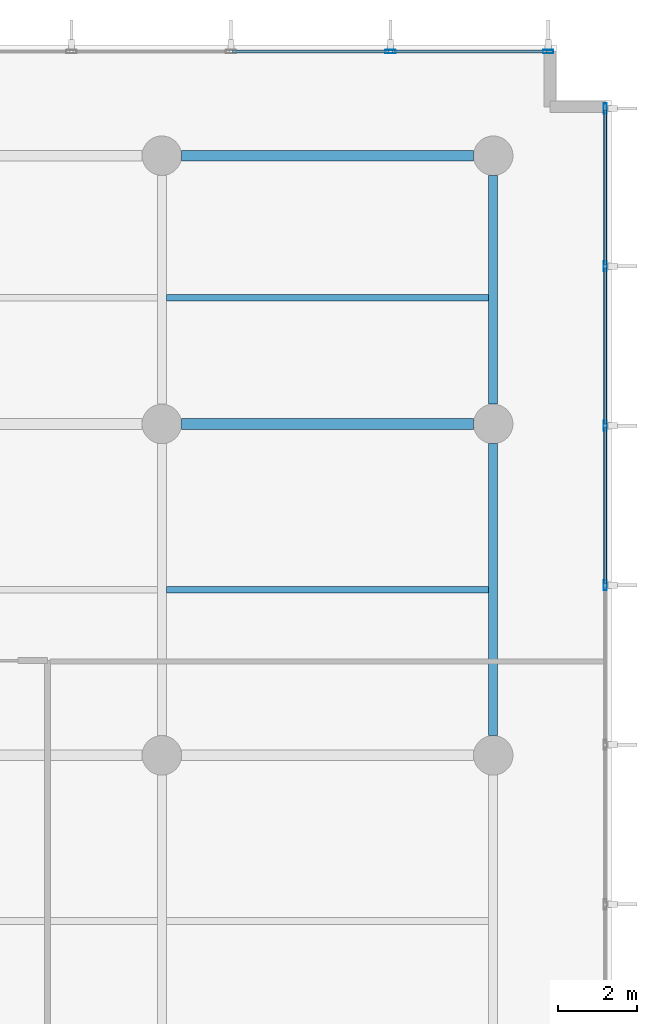
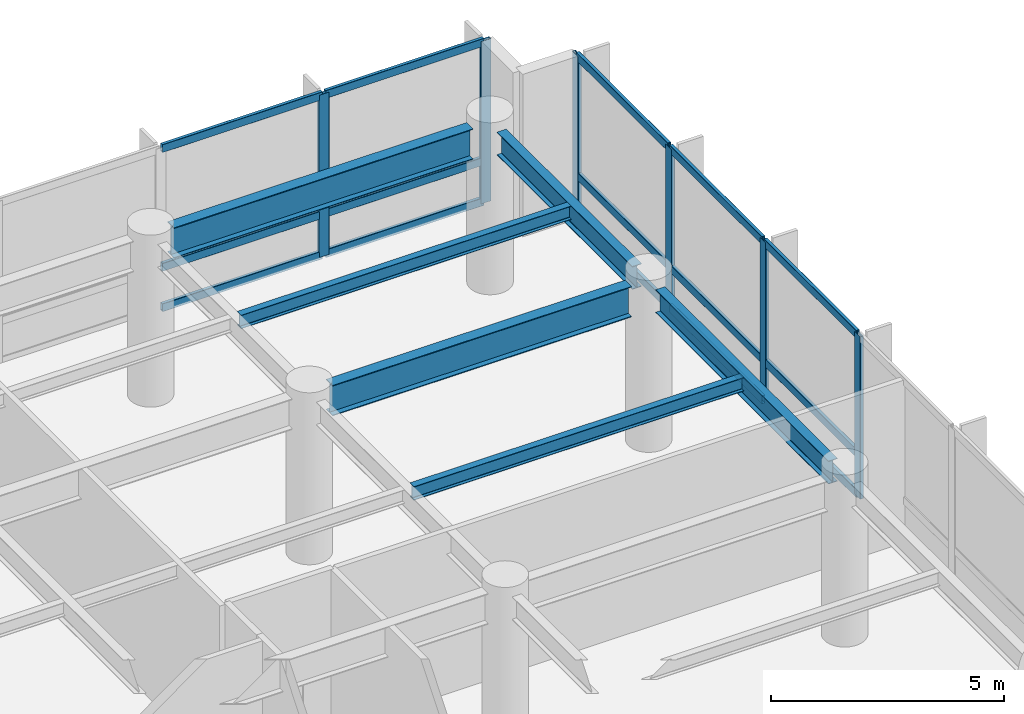
# One storey, part 12 of 26: 21 members, 6 beams, 2 elements without a shape of their own.
"""IFC4 building model written with IfcOpenShell, lengths in metres."""

from ifc_helpers import new_model, si_unit, direction, frame, origin, origin_2d, place, context, subcontext, project, spatial, hollow_rectangle, i_section, extrude, material, layer, layer_set, material_profile, profile_set, type_object, element, aggregate, save


model = new_model("IFC4")

# Units and contexts
model_context = context("Model", 3, precision=1e-05, world=origin(), true_north=direction((0.0, 1.0)))
body_context = subcontext(model_context, "Body", "Model", "MODEL_VIEW")
ifc_project = project(units=[si_unit("LENGTHUNIT", "METRE"), si_unit("AREAUNIT", "SQUARE_METRE"), si_unit("VOLUMEUNIT", "CUBIC_METRE"), si_unit("PLANEANGLEUNIT", "RADIAN"), si_unit("MASSUNIT", "GRAM", prefix="KILO")], contexts=[model_context])

# Site, building, storey
site_placement = place(None, origin())
site = spatial("IfcSite", under=ifc_project, at=site_placement, CompositionType="ELEMENT")
building_placement = place(site_placement, origin())
building = spatial("IfcBuilding", under=site, at=building_placement, Name="Varnakote Quay Hospital", CompositionType="ELEMENT")
storey_placement = place(building_placement, frame((0.0, 0.0, 9.0)))
storey = spatial("IfcBuildingStorey", under=building, at=storey_placement, Name="L02", CompositionType="ELEMENT", Elevation=9.0)

# Beams
ifc_material_1 = material(Name="Structural steel AS/NZS 3679.1 Grade 350 L0 (fy 340 MPa)", Category="steel")
ifc_material_profile_1 = material_profile(ifc_material_1, i_section(OverallWidth=0.22802734375, OverallDepth=0.60205078125, WebThickness=0.010498046875, FlangeThickness=0.014892578125, FilletRadius=0.013916015625, at=origin_2d()), Name="610UB101")
ifc_profile_set_1 = profile_set([ifc_material_profile_1], Name="Structural steel AS/NZS 3679.1 Grade 350 L0 (fy 340 MPa)")
beam_type_1 = type_object("IfcBeamType", Name="BM-STL-610UB101", PredefinedType="BEAM", material=ifc_profile_set_1)
beam_1_placement = place(storey_placement, frame((84.0, 29.300048828125, 3.948974609375), z_axis=(0.0, 1.0, 0.0), x_axis=(-1.0, 0.0, 0.0)))
element("IfcBeam", 1, at=beam_1_placement, inside=storey, type_object=beam_type_1, Name="L02 Primary Tie Beam", PredefinedType="BEAM", context=body_context, shape_type="SweptSolid", body=[
    extrude(i_section(OverallWidth=0.22802734375, OverallDepth=0.60205078125, WebThickness=0.010498046875, FlangeThickness=0.014892578125, FilletRadius=0.013916015625, at=origin_2d()), origin(), (0.0, 0.0, 1.0), 7.39990234375),
])
beam_2_placement = place(storey_placement, frame((84.0, 37.699951171875, 3.948974609375), z_axis=(0.0, 1.0, 0.0), x_axis=(-1.0, 0.0, 0.0)))
element("IfcBeam", 2, at=beam_2_placement, inside=storey, type_object=beam_type_1, Name="L02 Primary Tie Beam", PredefinedType="BEAM", context=body_context, shape_type="SweptSolid", body=[
    extrude(i_section(OverallWidth=0.22802734375, OverallDepth=0.60205078125, WebThickness=0.010498046875, FlangeThickness=0.014892578125, FilletRadius=0.013916015625, at=origin_2d()), origin(), (0.0, 0.0, 1.0), 5.800048828125),
])
ifc_material_2 = material(Name="Structural steel AS/NZS 3678 Grade 350 (fy 340 MPa)", Category="steel")
ifc_material_profile_2 = material_profile(ifc_material_2, i_section(OverallWidth=0.27490234375, OverallDepth=0.800048828125, WebThickness=0.010009765625, FlangeThickness=0.02001953125, at=origin_2d()), Name="800WB146")
ifc_profile_set_2 = profile_set([ifc_material_profile_2], Name="Structural steel AS/NZS 3678 Grade 350 (fy 340 MPa)")
beam_type_2 = type_object("IfcBeamType", Name="BM-STL-800WB146", PredefinedType="BEAM", material=ifc_profile_set_2)
for number, where, z_axis, x_axis, name in (
    (3, (76.10009765625, 37.199951171875, 3.85009765625), (1.0, 0.0, 0.0), (0.0, 1.0, 0.0), "L02 Primary Floor Beam"),
    (4, (76.10009765625, 44.0, 3.85009765625), (1.0, 0.0, 0.0), (0.0, 1.0, 0.0), "L02 Primary Floor Beam"),
):
    element("IfcBeam", number, at=place(storey_placement, frame(where, z_axis=z_axis, x_axis=x_axis)), inside=storey, type_object=beam_type_2, Name=name, PredefinedType="BEAM", context=body_context, shape_type="SweptSolid", body=[
        extrude(i_section(OverallWidth=0.27490234375, OverallDepth=0.800048828125, WebThickness=0.010009765625, FlangeThickness=0.02001953125, at=origin_2d()), origin(), (0.0, 0.0, 1.0), 7.39990234375),
    ])

# Curtain wall, members
ifc_material_3 = material(Name="Anodised aluminium 6063-T6 Bronze", Category="aluminium")
ifc_layer = layer(ifc_material_3, 0.175048828125)
ifc_layer_set = layer_set([ifc_layer], Name="Anodised aluminium 6063-T6 Bronze")
curtain_wall_type = type_object("IfcCurtainWallType", Name="CW-SYS-1", PredefinedType="NOTDEFINED", material=ifc_layer_set)
curtain_wall_1_placement = place(storey_placement, origin())
curtain_wall_1 = element("IfcCurtainWall", 5, at=curtain_wall_1_placement, inside=storey, type_object=curtain_wall_type, Name="L02 Unitised Bronze Curtain Wall 1", PredefinedType="NOTDEFINED")
ifc_material_4 = material(Name="Anodised aluminium 6063-T6 Bronze", Category="aluminium")
ifc_material_profile_3 = material_profile(ifc_material_4, hollow_rectangle(XDim=0.0849609375, YDim=0.260009765625, WallThickness=0.0048828125, InnerFilletRadius=0.0048828125, OuterFilletRadius=0.010009765625, at=origin_2d()), Name="CW-MULL-260x85")
ifc_profile_set_3 = profile_set([ifc_material_profile_3], Name="Anodised aluminium 6063-T6 Bronze")
member_type_1 = type_object("IfcMemberType", Name="CW-MULL-260x85", PredefinedType="MULLION", material=ifc_profile_set_3)
member_1_placement = place(storey_placement, frame((86.840087890625, 33.109130859375, 0.0), z_axis=(0.0, 0.0, 1.0), x_axis=(-1.0, 0.0, 0.0)))
member_1 = element("IfcMember", 6, at=member_1_placement, type_object=member_type_1, Name="-1-L02-1 mullion 9", PredefinedType="MULLION", context=body_context, shape_type="SweptSolid", body=[
    extrude(hollow_rectangle(XDim=0.0849609375, YDim=0.260009765625, WallThickness=0.0048828125, InnerFilletRadius=0.0048828125, OuterFilletRadius=0.010009765625, at=origin_2d()), origin(), (0.0, 0.0, 1.0), 4.25),
])
member_2_placement = place(storey_placement, frame((86.840087890625, 37.15283203125, 0.0), z_axis=(0.0, 0.0, 1.0), x_axis=(-1.0, 0.0, 0.0)))
member_2 = element("IfcMember", 7, at=member_2_placement, type_object=member_type_1, Name="-1-L02-1 mullion 10", PredefinedType="MULLION", context=body_context, shape_type="SweptSolid", body=[
    extrude(hollow_rectangle(XDim=0.0849609375, YDim=0.260009765625, WallThickness=0.0048828125, InnerFilletRadius=0.0048828125, OuterFilletRadius=0.010009765625, at=origin_2d()), origin(), (0.0, 0.0, 1.0), 4.25),
])
member_3_placement = place(storey_placement, frame((86.840087890625, 41.1962890625, 0.0), z_axis=(0.0, 0.0, 1.0), x_axis=(-1.0, 0.0, 0.0)))
member_3 = element("IfcMember", 8, at=member_3_placement, type_object=member_type_1, Name="-1-L02-1 mullion 11", PredefinedType="MULLION", context=body_context, shape_type="SweptSolid", body=[
    extrude(hollow_rectangle(XDim=0.0849609375, YDim=0.260009765625, WallThickness=0.0048828125, InnerFilletRadius=0.0048828125, OuterFilletRadius=0.010009765625, at=origin_2d()), origin(), (0.0, 0.0, 1.0), 4.25),
])
member_4_placement = place(storey_placement, frame((86.840087890625, 45.197509765625, 0.0), z_axis=(0.0, 0.0, 1.0), x_axis=(-1.0, 0.0, 0.0)))
member_4 = element("IfcMember", 9, at=member_4_placement, type_object=member_type_1, Name="-1-L02-1 mullion 12", PredefinedType="MULLION", context=body_context, shape_type="SweptSolid", body=[
    extrude(hollow_rectangle(XDim=0.0849609375, YDim=0.260009765625, WallThickness=0.0048828125, InnerFilletRadius=0.0048828125, OuterFilletRadius=0.010009765625, at=origin_2d()), origin(), (0.0, 0.0, 1.0), 4.25),
])

curtain_wall_2_placement = place(storey_placement, origin())
curtain_wall_2 = element("IfcCurtainWall", 10, at=curtain_wall_2_placement, inside=storey, type_object=curtain_wall_type, Name="L02 Unitised Bronze Curtain Wall 2", PredefinedType="NOTDEFINED")
member_5_placement = place(storey_placement, frame((85.3974609375, 46.639892578125, 0.0), z_axis=(0.0, 0.0, 1.0), x_axis=(0.0, -1.0, 0.0)))
member_5 = element("IfcMember", 11, at=member_5_placement, type_object=member_type_1, Name="-1-L02-2 mullion 1", PredefinedType="MULLION", context=body_context, shape_type="SweptSolid", body=[
    extrude(hollow_rectangle(XDim=0.0849609375, YDim=0.260009765625, WallThickness=0.0048828125, InnerFilletRadius=0.0048828125, OuterFilletRadius=0.010009765625, at=origin_2d()), origin(), (0.0, 0.0, 1.0), 4.25),
])
member_6_placement = place(storey_placement, frame((81.396484375, 46.639892578125, 0.0), z_axis=(0.0, 0.0, 1.0), x_axis=(0.0, -1.0, 0.0)))
member_6 = element("IfcMember", 12, at=member_6_placement, type_object=member_type_1, Name="-1-L02-2 mullion 2", PredefinedType="MULLION", context=body_context, shape_type="SweptSolid", body=[
    extrude(hollow_rectangle(XDim=0.0849609375, YDim=0.260009765625, WallThickness=0.0048828125, InnerFilletRadius=0.0048828125, OuterFilletRadius=0.010009765625, at=origin_2d()), origin(), (0.0, 0.0, 1.0), 4.25),
])

# Member
ifc_material_5 = material(Name="Anodised aluminium 6063-T6 Bronze", Category="aluminium")
ifc_material_profile_4 = material_profile(ifc_material_5, hollow_rectangle(XDim=0.0849609375, YDim=0.2099609375, WallThickness=0.00439453125, InnerFilletRadius=0.00439453125, OuterFilletRadius=0.009033203125, at=origin_2d()), Name="CW-TRAN-210x85")
ifc_profile_set_4 = profile_set([ifc_material_profile_4], Name="Anodised aluminium 6063-T6 Bronze")
member_type_2 = type_object("IfcMemberType", Name="CW-TRAN-210x85", PredefinedType="USERDEFINED", material=ifc_profile_set_4)
member_7_placement = place(storey_placement, frame((86.840087890625, 33.151611328125, 0.04248046875), z_axis=(0.0, 1.0, 0.0), x_axis=(-1.0, 0.0, 0.0)))
member_7 = element("IfcMember", 13, at=member_7_placement, type_object=member_type_2, Name="-1-L02-1 transom 9.1", ObjectType="TRANSOM", PredefinedType="USERDEFINED", context=body_context, shape_type="SweptSolid", body=[
    extrude(hollow_rectangle(XDim=0.0849609375, YDim=0.2099609375, WallThickness=0.00439453125, InnerFilletRadius=0.00439453125, OuterFilletRadius=0.009033203125, at=origin_2d()), origin(), (0.0, 0.0, 1.0), 3.95849609375),
])

member_8_placement = place(storey_placement, frame((86.840087890625, 33.151611328125, 1.10009765625), z_axis=(0.0, 1.0, 0.0), x_axis=(-1.0, 0.0, 0.0)))
member_8 = element("IfcMember", 14, at=member_8_placement, type_object=member_type_2, Name="-1-L02-1 transom 9.2", ObjectType="TRANSOM", PredefinedType="USERDEFINED", context=body_context, shape_type="SweptSolid", body=[
    extrude(hollow_rectangle(XDim=0.0849609375, YDim=0.2099609375, WallThickness=0.00439453125, InnerFilletRadius=0.00439453125, OuterFilletRadius=0.009033203125, at=origin_2d()), origin(), (0.0, 0.0, 1.0), 3.95849609375),
])

member_9_placement = place(storey_placement, frame((86.840087890625, 33.151611328125, 4.20751953125), z_axis=(0.0, 1.0, 0.0), x_axis=(-1.0, 0.0, 0.0)))
member_9 = element("IfcMember", 15, at=member_9_placement, type_object=member_type_2, Name="-1-L02-1 transom 9.3", ObjectType="TRANSOM", PredefinedType="USERDEFINED", context=body_context, shape_type="SweptSolid", body=[
    extrude(hollow_rectangle(XDim=0.0849609375, YDim=0.2099609375, WallThickness=0.00439453125, InnerFilletRadius=0.00439453125, OuterFilletRadius=0.009033203125, at=origin_2d()), origin(), (0.0, 0.0, 1.0), 3.95849609375),
])

member_10_placement = place(storey_placement, frame((86.840087890625, 37.1953125, 0.04248046875), z_axis=(0.0, 1.0, 0.0), x_axis=(-1.0, 0.0, 0.0)))
member_10 = element("IfcMember", 16, at=member_10_placement, type_object=member_type_2, Name="-1-L02-1 transom 10.1", ObjectType="TRANSOM", PredefinedType="USERDEFINED", context=body_context, shape_type="SweptSolid", body=[
    extrude(hollow_rectangle(XDim=0.0849609375, YDim=0.2099609375, WallThickness=0.00439453125, InnerFilletRadius=0.00439453125, OuterFilletRadius=0.009033203125, at=origin_2d()), origin(), (0.0, 0.0, 1.0), 3.95849609375),
])

member_11_placement = place(storey_placement, frame((86.840087890625, 37.1953125, 1.10009765625), z_axis=(0.0, 1.0, 0.0), x_axis=(-1.0, 0.0, 0.0)))
member_11 = element("IfcMember", 17, at=member_11_placement, type_object=member_type_2, Name="-1-L02-1 transom 10.2", ObjectType="TRANSOM", PredefinedType="USERDEFINED", context=body_context, shape_type="SweptSolid", body=[
    extrude(hollow_rectangle(XDim=0.0849609375, YDim=0.2099609375, WallThickness=0.00439453125, InnerFilletRadius=0.00439453125, OuterFilletRadius=0.009033203125, at=origin_2d()), origin(), (0.0, 0.0, 1.0), 3.95849609375),
])

member_12_placement = place(storey_placement, frame((86.840087890625, 37.1953125, 4.20751953125), z_axis=(0.0, 1.0, 0.0), x_axis=(-1.0, 0.0, 0.0)))
member_12 = element("IfcMember", 18, at=member_12_placement, type_object=member_type_2, Name="-1-L02-1 transom 10.3", ObjectType="TRANSOM", PredefinedType="USERDEFINED", context=body_context, shape_type="SweptSolid", body=[
    extrude(hollow_rectangle(XDim=0.0849609375, YDim=0.2099609375, WallThickness=0.00439453125, InnerFilletRadius=0.00439453125, OuterFilletRadius=0.009033203125, at=origin_2d()), origin(), (0.0, 0.0, 1.0), 3.95849609375),
])

member_13_placement = place(storey_placement, frame((86.840087890625, 41.23876953125, 0.04248046875), z_axis=(0.0, 1.0, 0.0), x_axis=(-1.0, 0.0, 0.0)))
member_13 = element("IfcMember", 19, at=member_13_placement, type_object=member_type_2, Name="-1-L02-1 transom 11.1", ObjectType="TRANSOM", PredefinedType="USERDEFINED", context=body_context, shape_type="SweptSolid", body=[
    extrude(hollow_rectangle(XDim=0.0849609375, YDim=0.2099609375, WallThickness=0.00439453125, InnerFilletRadius=0.00439453125, OuterFilletRadius=0.009033203125, at=origin_2d()), origin(), (0.0, 0.0, 1.0), 3.916259765625),
])

member_14_placement = place(storey_placement, frame((86.840087890625, 41.23876953125, 1.10009765625), z_axis=(0.0, 1.0, 0.0), x_axis=(-1.0, 0.0, 0.0)))
member_14 = element("IfcMember", 20, at=member_14_placement, type_object=member_type_2, Name="-1-L02-1 transom 11.2", ObjectType="TRANSOM", PredefinedType="USERDEFINED", context=body_context, shape_type="SweptSolid", body=[
    extrude(hollow_rectangle(XDim=0.0849609375, YDim=0.2099609375, WallThickness=0.00439453125, InnerFilletRadius=0.00439453125, OuterFilletRadius=0.009033203125, at=origin_2d()), origin(), (0.0, 0.0, 1.0), 3.916259765625),
])

member_15_placement = place(storey_placement, frame((86.840087890625, 41.23876953125, 4.20751953125), z_axis=(0.0, 1.0, 0.0), x_axis=(-1.0, 0.0, 0.0)))
member_15 = element("IfcMember", 21, at=member_15_placement, type_object=member_type_2, Name="-1-L02-1 transom 11.3", ObjectType="TRANSOM", PredefinedType="USERDEFINED", context=body_context, shape_type="SweptSolid", body=[
    extrude(hollow_rectangle(XDim=0.0849609375, YDim=0.2099609375, WallThickness=0.00439453125, InnerFilletRadius=0.00439453125, OuterFilletRadius=0.009033203125, at=origin_2d()), origin(), (0.0, 0.0, 1.0), 3.916259765625),
])

aggregate(curtain_wall_1, [member_1, member_2, member_3, member_4, member_7, member_8, member_9, member_10, member_11, member_12, member_13, member_14, member_15])

member_16_placement = place(storey_placement, frame((85.35498046875, 46.639892578125, 0.04248046875), z_axis=(-1.0, 0.0, 0.0), x_axis=(0.0, -1.0, 0.0)))
member_16 = element("IfcMember", 22, at=member_16_placement, type_object=member_type_2, Name="-1-L02-2 transom 1.1", ObjectType="TRANSOM", PredefinedType="USERDEFINED", context=body_context, shape_type="SweptSolid", body=[
    extrude(hollow_rectangle(XDim=0.0849609375, YDim=0.2099609375, WallThickness=0.00439453125, InnerFilletRadius=0.00439453125, OuterFilletRadius=0.009033203125, at=origin_2d()), origin(), (0.0, 0.0, 1.0), 3.916015625),
])

member_17_placement = place(storey_placement, frame((85.35498046875, 46.639892578125, 1.10009765625), z_axis=(-1.0, 0.0, 0.0), x_axis=(0.0, -1.0, 0.0)))
member_17 = element("IfcMember", 23, at=member_17_placement, type_object=member_type_2, Name="-1-L02-2 transom 1.2", ObjectType="TRANSOM", PredefinedType="USERDEFINED", context=body_context, shape_type="SweptSolid", body=[
    extrude(hollow_rectangle(XDim=0.0849609375, YDim=0.2099609375, WallThickness=0.00439453125, InnerFilletRadius=0.00439453125, OuterFilletRadius=0.009033203125, at=origin_2d()), origin(), (0.0, 0.0, 1.0), 3.916015625),
])

member_18_placement = place(storey_placement, frame((85.35498046875, 46.639892578125, 4.20751953125), z_axis=(-1.0, 0.0, 0.0), x_axis=(0.0, -1.0, 0.0)))
member_18 = element("IfcMember", 24, at=member_18_placement, type_object=member_type_2, Name="-1-L02-2 transom 1.3", ObjectType="TRANSOM", PredefinedType="USERDEFINED", context=body_context, shape_type="SweptSolid", body=[
    extrude(hollow_rectangle(XDim=0.0849609375, YDim=0.2099609375, WallThickness=0.00439453125, InnerFilletRadius=0.00439453125, OuterFilletRadius=0.009033203125, at=origin_2d()), origin(), (0.0, 0.0, 1.0), 3.916015625),
])

member_19_placement = place(storey_placement, frame((81.35400390625, 46.639892578125, 0.04248046875), z_axis=(-1.0, 0.0, 0.0), x_axis=(0.0, -1.0, 0.0)))
member_19 = element("IfcMember", 25, at=member_19_placement, type_object=member_type_2, Name="-1-L02-2 transom 2.1", ObjectType="TRANSOM", PredefinedType="USERDEFINED", context=body_context, shape_type="SweptSolid", body=[
    extrude(hollow_rectangle(XDim=0.0849609375, YDim=0.2099609375, WallThickness=0.00439453125, InnerFilletRadius=0.00439453125, OuterFilletRadius=0.009033203125, at=origin_2d()), origin(), (0.0, 0.0, 1.0), 3.95849609375),
])

member_20_placement = place(storey_placement, frame((81.35400390625, 46.639892578125, 1.10009765625), z_axis=(-1.0, 0.0, 0.0), x_axis=(0.0, -1.0, 0.0)))
member_20 = element("IfcMember", 26, at=member_20_placement, type_object=member_type_2, Name="-1-L02-2 transom 2.2", ObjectType="TRANSOM", PredefinedType="USERDEFINED", context=body_context, shape_type="SweptSolid", body=[
    extrude(hollow_rectangle(XDim=0.0849609375, YDim=0.2099609375, WallThickness=0.00439453125, InnerFilletRadius=0.00439453125, OuterFilletRadius=0.009033203125, at=origin_2d()), origin(), (0.0, 0.0, 1.0), 3.95849609375),
])

member_21_placement = place(storey_placement, frame((81.35400390625, 46.639892578125, 4.20751953125), z_axis=(-1.0, 0.0, 0.0), x_axis=(0.0, -1.0, 0.0)))
member_21 = element("IfcMember", 27, at=member_21_placement, type_object=member_type_2, Name="-1-L02-2 transom 2.3", ObjectType="TRANSOM", PredefinedType="USERDEFINED", context=body_context, shape_type="SweptSolid", body=[
    extrude(hollow_rectangle(XDim=0.0849609375, YDim=0.2099609375, WallThickness=0.00439453125, InnerFilletRadius=0.00439453125, OuterFilletRadius=0.009033203125, at=origin_2d()), origin(), (0.0, 0.0, 1.0), 3.95849609375),
])

aggregate(curtain_wall_2, [member_5, member_6, member_16, member_17, member_18, member_19, member_20, member_21])

# Beams
ifc_material_6 = material(Name="Structural steel AS/NZS 3679.1 Grade 350 L0 (fy 340 MPa)", Category="steel")
ifc_material_profile_5 = material_profile(ifc_material_6, i_section(OverallWidth=0.1708984375, OverallDepth=0.35595703125, WebThickness=0.00732421875, FlangeThickness=0.011474609375, FilletRadius=0.011474609375, at=origin_2d()), Name="360UB50.7")
ifc_profile_set_5 = profile_set([ifc_material_profile_5], Name="Structural steel AS/NZS 3679.1 Grade 350 L0 (fy 340 MPa)")
beam_type_3 = type_object("IfcBeamType", Name="JST-STL-360UB50-7", PredefinedType="JOIST", material=ifc_profile_set_5)
for number, where, z_axis, x_axis, name in (
    (28, (75.714111328125, 33.0, 4.072021484375), (1.0, 0.0, 0.0), (0.0, 1.0, 0.0), "L02 Composite Floor Joist"),
    (29, (75.714111328125, 40.39990234375, 4.072021484375), (1.0, 0.0, 0.0), (0.0, 1.0, 0.0), "L02 Composite Floor Joist"),
):
    element("IfcBeam", number, at=place(storey_placement, frame(where, z_axis=z_axis, x_axis=x_axis)), inside=storey, type_object=beam_type_3, Name=name, PredefinedType="JOIST", context=body_context, shape_type="SweptSolid", body=[
        extrude(i_section(OverallWidth=0.1708984375, OverallDepth=0.35595703125, WebThickness=0.00732421875, FlangeThickness=0.011474609375, FilletRadius=0.011474609375, at=origin_2d()), origin(), (0.0, 0.0, 1.0), 8.171875),
    ])

save(model, "model.ifc")
